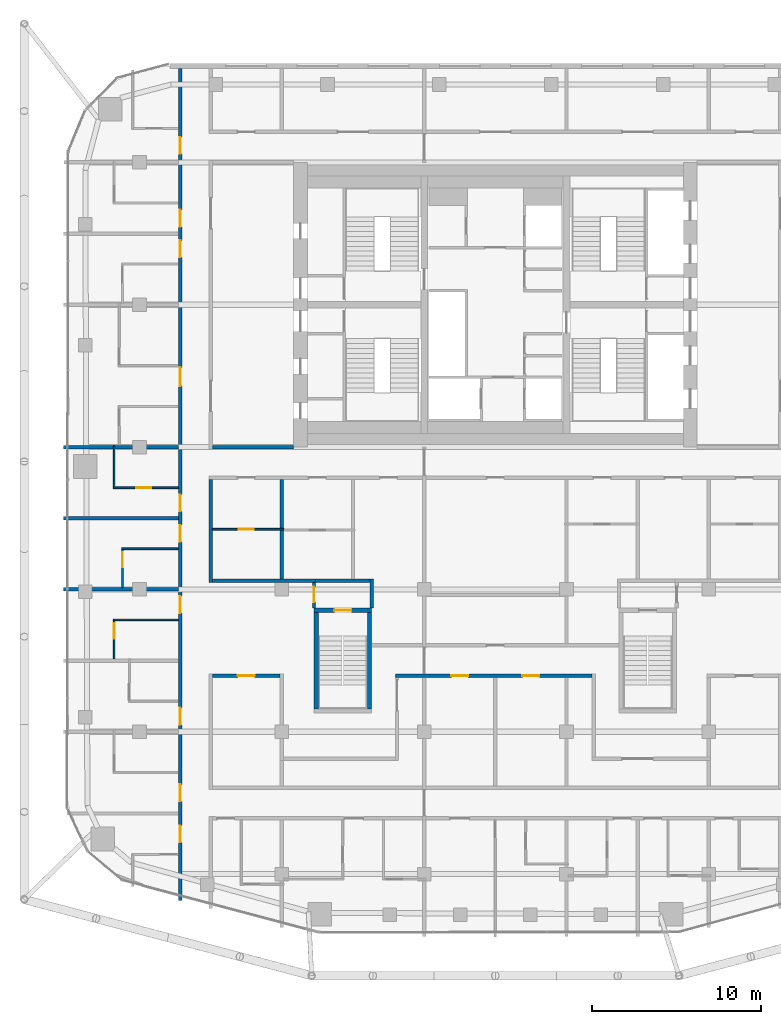
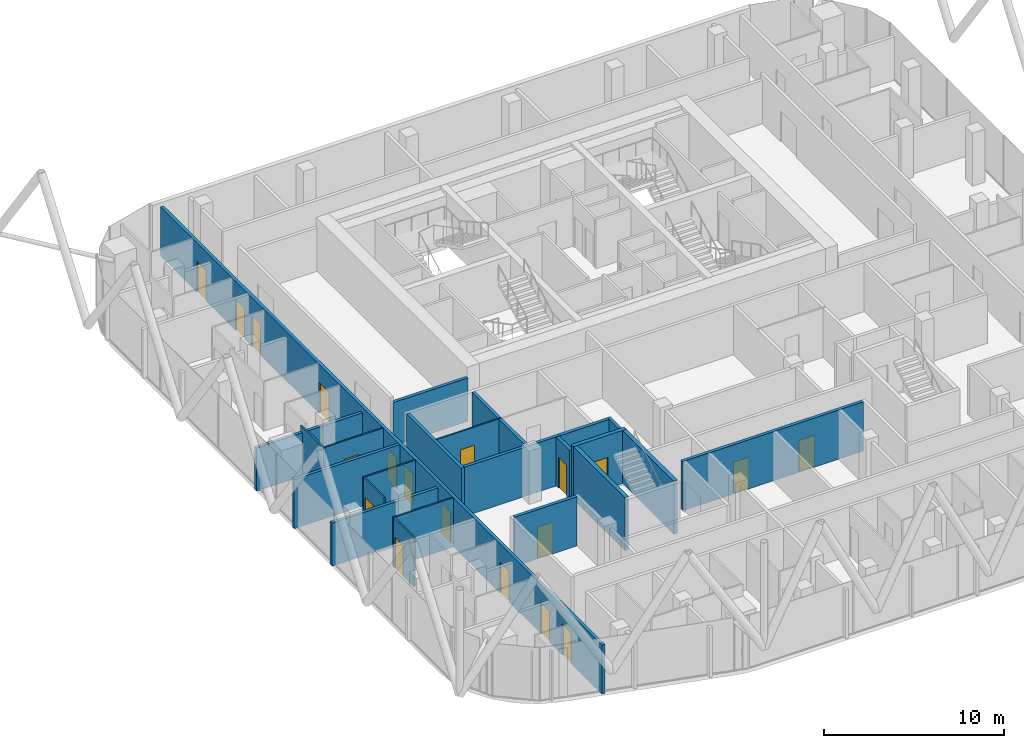
# One storey, part 21 of 28: 23 walls, 19 doors, 19 openings.
"""IFC4 building model written with IfcOpenShell, lengths in metres."""

from ifc_helpers import new_model, si_unit, direction, frame, frame_2d, origin, place, context, subcontext, project, spatial, rectangle, extrude, material, layer, layer_set, type_object, element, fill, save


model = new_model("IFC4")

# Units and contexts
model_context = context("Model", 3, precision=1e-05, world=origin(), true_north=direction((0.0, 1.0)))
body_context = subcontext(model_context, "Body", "Model", "MODEL_VIEW")
ifc_project = project(units=[si_unit("LENGTHUNIT", "METRE"), si_unit("AREAUNIT", "SQUARE_METRE"), si_unit("VOLUMEUNIT", "CUBIC_METRE"), si_unit("PLANEANGLEUNIT", "RADIAN"), si_unit("MASSUNIT", "GRAM", prefix="KILO")], contexts=[model_context])

# Site, building, storey
site_placement = place(None, origin())
site = spatial("IfcSite", under=ifc_project, at=site_placement, CompositionType="ELEMENT")
building_placement = place(site_placement, origin())
building = spatial("IfcBuilding", under=site, at=building_placement, Name="Marenta Gate Hotel Tower", CompositionType="ELEMENT")
storey_placement = place(building_placement, frame((0.0, 0.0, 227.300048828125)))
storey = spatial("IfcBuildingStorey", under=building, at=storey_placement, Name="L53", CompositionType="ELEMENT", Elevation=227.300048828125)

# Wall
ifc_material_1 = material(Name="Concrete blockwork", Category="masonry")
ifc_layer_1 = layer(ifc_material_1, 0.199951171875)
ifc_layer_set_1 = layer_set([ifc_layer_1], Name="Concrete blockwork")
wall_type_1 = type_object("IfcWallType", Name="Core boundary wall 200 REI 180", PredefinedType="PARTITIONING", material=ifc_layer_set_1)
wall_1_placement = place(storey_placement, frame((-16.699951171875, 0.0, 0.0), z_axis=(0.0, 0.0, 1.0), x_axis=(1.0, 0.0, 0.0)))
element("IfcWall", 1, at=wall_1_placement, inside=storey, type_object=wall_type_1, Name="L53-CP-EW-WS", PredefinedType="PARTITIONING", context=body_context, shape_type="SweptSolid", body=[
    extrude(rectangle(XDim=4.800048828125, YDim=0.199951171875, at=frame_2d((2.39990234375, 0.0))), origin(), (0.0, 0.0, 1.0), 2.93994140625),
])

# Wall, opening, door
ifc_material_2 = material(Name="Concrete C40", Category="concrete")
ifc_layer_2 = layer(ifc_material_2, 0.25)
ifc_layer_set_2 = layer_set([ifc_layer_2], Name="Concrete C40")
wall_type_2 = type_object("IfcWallType", Name="Remote stair enclosure wall 250 REI 180", PredefinedType="SHEAR", material=ifc_layer_set_2)
wall_2_placement = place(storey_placement, frame((-10.699951171875, -9.625, 0.099853515625), z_axis=(0.0, 0.0, 1.0), x_axis=(1.0, 0.0, 0.0)))
wall_2 = element("IfcWall", 2, at=wall_2_placement, inside=storey, type_object=wall_type_2, Name="L53-RS-Z3-1-W2", PredefinedType="SHEAR", context=body_context, shape_type="SweptSolid", body=[
    extrude(rectangle(XDim=3.39990234375, YDim=0.25, at=frame_2d((1.699951171875, 0.0))), origin(), (0.0, 0.0, 1.0), 3.60009765625),
])
opening_1_placement = place(wall_2_placement, frame((1.199951171875, 0.0, 0.0)))
opening_1 = element("IfcOpeningElement", 3, at=opening_1_placement, cuts=wall_2, Name="Opening VD", PredefinedType="OPENING", context=body_context, shape_type="SweptSolid", body=[
    extrude(rectangle(XDim=1.0, YDim=2.10009765625, at=frame_2d((0.5, 1.050048828125))), frame((0.0, 0.125, 0.0), z_axis=(0.0, -1.0, 0.0), x_axis=(1.0, 0.0, 0.0)), (0.0, 0.0, 1.0), 0.25),
])
ifc_material_3 = material(Name="Steel", Category="steel")
door_type_1 = type_object("IfcDoorType", Name="Stair vestibule door 1000x2100 FD60", OperationType="SINGLE_SWING_LEFT", PredefinedType="DOOR", material=ifc_material_3)
door_1_placement = place(opening_1_placement, origin())
door_1 = element("IfcDoor", 4, at=door_1_placement, inside=storey, type_object=door_type_1, Name="VD", OperationType="SINGLE_SWING_LEFT", OverallHeight=2.10009765625, OverallWidth=1.0, PredefinedType="DOOR", context=body_context, shape_type="SweptSolid", body=[
    extrude(rectangle(XDim=1.0, YDim=2.10009765625, at=frame_2d((0.5, 1.050048828125))), frame((0.0, 0.02490234375, 0.0), z_axis=(0.0, -1.0, 0.0), x_axis=(1.0, 0.0, 0.0)), (0.0, 0.0, 1.0), 0.050048828125),
])
fill(opening_1, door_1)

# Walls
for number, where, z_axis, x_axis, name in (
    (5, (-10.574951171875, -15.449951171875, 0.099853515625), (0.0, 0.0, 1.0), (0.0, 1.0, 0.0), "L53-RS-Z3-1-W3"),
    (6, (-7.425048828125, -15.449951171875, 0.099853515625), (0.0, 0.0, 1.0), (0.0, 1.0, 0.0), "L53-RS-Z3-1-W4"),
):
    element("IfcWall", number, at=place(storey_placement, frame(where, z_axis=z_axis, x_axis=x_axis)), inside=storey, type_object=wall_type_2, Name=name, PredefinedType="SHEAR", context=body_context, shape_type="SweptSolid", body=[
        extrude(rectangle(XDim=5.699951171875, YDim=0.25, at=frame_2d((2.85009765625, 0.0))), origin(), (0.0, 0.0, 1.0), 3.60009765625),
    ])
ifc_material_4 = material(Name="Concrete blockwork", Category="masonry")
ifc_layer_3 = layer(ifc_material_4, 0.199951171875)
ifc_layer_set_3 = layer_set([ifc_layer_3], Name="Concrete blockwork")
wall_type_3 = type_object("IfcWallType", Name="Room corridor wall 200 EI 120", PredefinedType="PARTITIONING", material=ifc_layer_set_3)
wall_3_placement = place(storey_placement, frame((-16.699951171875, -7.89990234375, 0.0), z_axis=(0.0, 0.0, 1.0), x_axis=(1.0, 0.0, 0.0)))
element("IfcWall", 7, at=wall_3_placement, inside=storey, type_object=wall_type_3, Name="L53-PTN-W053", PredefinedType="PARTITIONING", context=body_context, shape_type="SweptSolid", body=[
    extrude(rectangle(XDim=6.099853515625, YDim=0.199951171875, at=frame_2d((3.0498046875, 0.0))), origin(), (0.0, 0.0, 1.0), 3.33984375),
])

# Wall, opening, door
ifc_material_5 = material(Name="Gypsum board on steel stud", Category="steel")
ifc_layer_4 = layer(ifc_material_5, 0.199951171875)
ifc_layer_set_4 = layer_set([ifc_layer_4], Name="Gypsum board on steel stud")
wall_type_4 = type_object("IfcWallType", Name="Room corridor wall 200 EI 60", PredefinedType="PARTITIONING", material=ifc_layer_set_4)
wall_4_placement = place(storey_placement, frame((-16.699951171875, -13.5, 0.0), z_axis=(0.0, 0.0, 1.0), x_axis=(1.0, 0.0, 0.0)))
wall_4 = element("IfcWall", 8, at=wall_4_placement, inside=storey, type_object=wall_type_4, Name="L53-PTN-W033", PredefinedType="PARTITIONING", context=body_context, shape_type="SweptSolid", body=[
    extrude(rectangle(XDim=4.0, YDim=0.199951171875, at=frame_2d((2.0, 0.0))), origin(), (0.0, 0.0, 1.0), 3.33984375),
])
opening_2_placement = place(wall_4_placement, frame((1.5, 0.0, 0.0)))
opening_2 = element("IfcOpeningElement", 9, at=opening_2_placement, cuts=wall_4, Name="Opening G19-11", PredefinedType="OPENING", context=body_context, shape_type="SweptSolid", body=[
    extrude(rectangle(XDim=1.0, YDim=2.10009765625, at=frame_2d((0.5, 1.050048828125))), frame((0.0, 0.10009765625, 0.0), z_axis=(0.0, -1.0, 0.0), x_axis=(1.0, 0.0, 0.0)), (0.0, 0.0, 1.0), 0.199951171875),
])
ifc_material_6 = material(Name="Timber door leaf", Category="wood")
door_type_2 = type_object("IfcDoorType", Name="Room amenity door 1000x2100 EI 30", OperationType="NOTDEFINED", PredefinedType="DOOR", material=ifc_material_6)
door_2_placement = place(opening_2_placement, origin())
door_2 = element("IfcDoor", 10, at=door_2_placement, inside=storey, type_object=door_type_2, Name="L53-PD-D011", OperationType="SINGLE_SWING_LEFT", OverallHeight=2.10009765625, OverallWidth=1.0, PredefinedType="DOOR", context=body_context, shape_type="SweptSolid", body=[
    extrude(rectangle(XDim=1.0, YDim=2.10009765625, at=frame_2d((0.5, 1.050048828125))), frame((0.0, 0.02490234375, 0.0), z_axis=(0.0, -1.0, 0.0), x_axis=(1.0, 0.0, 0.0)), (0.0, 0.0, 1.0), 0.050048828125),
])
fill(opening_2, door_2)

# Wall, openings, doors
wall_5_placement = place(storey_placement, frame((-5.89990234375, -13.5, 0.0), z_axis=(0.0, 0.0, 1.0), x_axis=(1.0, 0.0, 0.0)))
wall_5 = element("IfcWall", 11, at=wall_5_placement, inside=storey, type_object=wall_type_4, Name="L53-PTN-W034", PredefinedType="PARTITIONING", context=body_context, shape_type="SweptSolid", body=[
    extrude(rectangle(XDim=11.599853515625, YDim=0.199951171875, at=frame_2d((5.7998046875, 0.0))), origin(), (0.0, 0.0, 1.0), 3.33984375),
])
opening_3_placement = place(wall_5_placement, frame((3.300048828125, 0.0, 0.0)))
opening_3 = element("IfcOpeningElement", 12, at=opening_3_placement, cuts=wall_5, Name="Opening G19-13", PredefinedType="OPENING", context=body_context, shape_type="SweptSolid", body=[
    extrude(rectangle(XDim=1.0, YDim=2.10009765625, at=frame_2d((0.5, 1.050048828125))), frame((0.0, 0.10009765625, 0.0), z_axis=(0.0, -1.0, 0.0), x_axis=(1.0, 0.0, 0.0)), (0.0, 0.0, 1.0), 0.199951171875),
])
opening_4_placement = place(wall_5_placement, frame((7.5, 0.0, 0.0)))
opening_4 = element("IfcOpeningElement", 13, at=opening_4_placement, cuts=wall_5, Name="Opening G19-14", PredefinedType="OPENING", context=body_context, shape_type="SweptSolid", body=[
    extrude(rectangle(XDim=1.0, YDim=2.10009765625, at=frame_2d((0.5, 1.050048828125))), frame((0.0, 0.10009765625, 0.0), z_axis=(0.0, -1.0, 0.0), x_axis=(1.0, 0.0, 0.0)), (0.0, 0.0, 1.0), 0.199951171875),
])
door_3_placement = place(opening_3_placement, origin())
door_3 = element("IfcDoor", 14, at=door_3_placement, inside=storey, type_object=door_type_2, Name="L53-PD-D013", OperationType="SINGLE_SWING_LEFT", OverallHeight=2.10009765625, OverallWidth=1.0, PredefinedType="DOOR", context=body_context, shape_type="SweptSolid", body=[
    extrude(rectangle(XDim=1.0, YDim=2.10009765625, at=frame_2d((0.5, 1.050048828125))), frame((0.0, 0.02490234375, 0.0), z_axis=(0.0, -1.0, 0.0), x_axis=(1.0, 0.0, 0.0)), (0.0, 0.0, 1.0), 0.050048828125),
])
fill(opening_3, door_3)
door_4_placement = place(opening_4_placement, origin())
door_4 = element("IfcDoor", 15, at=door_4_placement, inside=storey, type_object=door_type_2, Name="L53-PD-D014", OperationType="SINGLE_SWING_RIGHT", OverallHeight=2.10009765625, OverallWidth=1.0, PredefinedType="DOOR", context=body_context, shape_type="SweptSolid", body=[
    extrude(rectangle(XDim=1.0, YDim=2.10009765625, at=frame_2d((0.5, 1.050048828125))), frame((0.0, 0.02490234375, 0.0), z_axis=(0.0, -1.0, 0.0), x_axis=(1.0, 0.0, 0.0)), (0.0, 0.0, 1.0), 0.050048828125),
])
fill(opening_4, door_4)

# Wall
wall_6_placement = place(storey_placement, frame((-16.800048828125, -8.0, 0.0), z_axis=(0.0, 0.0, 1.0), x_axis=(0.0, 1.0, 0.0)))
element("IfcWall", 16, at=wall_6_placement, inside=storey, type_object=wall_type_4, Name="L53-PTN-W106", PredefinedType="PARTITIONING", context=body_context, shape_type="SweptSolid", body=[
    extrude(rectangle(XDim=6.10009765625, YDim=0.199951171875, at=frame_2d((3.050048828125, 0.0))), origin(), (0.0, 0.0, 1.0), 3.33984375),
])

# Wall, openings, doors
wall_7_placement = place(storey_placement, frame((-18.60009765625, -26.7509765625, 0.0), z_axis=(0.0, 0.0, 1.0), x_axis=(0.0, 1.0, 0.0)))
wall_7 = element("IfcWall", 17, at=wall_7_placement, inside=storey, type_object=wall_type_4, Name="L53-PTN-W110", PredefinedType="PARTITIONING", context=body_context, shape_type="SweptSolid", body=[
    extrude(rectangle(XDim=49.091064453125, YDim=0.199951171875, at=frame_2d((24.54541015625, 0.0))), origin(), (0.0, 0.0, 1.0), 3.33984375),
])
opening_5_placement = place(wall_7_placement, frame((3.4130859375, 0.0, 0.0)))
opening_5 = element("IfcOpeningElement", 18, at=opening_5_placement, cuts=wall_7, Name="Opening G19-50", PredefinedType="OPENING", context=body_context, shape_type="SweptSolid", body=[
    extrude(rectangle(XDim=1.0, YDim=2.10009765625, at=frame_2d((0.5, 1.050048828125))), frame((0.0, 0.10009765625, 0.0), z_axis=(0.0, -1.0, 0.0), x_axis=(1.0, 0.0, 0.0)), (0.0, 0.0, 1.0), 0.199951171875),
])
opening_6_placement = place(wall_7_placement, frame((5.837890625, 0.0, 0.0)))
opening_6 = element("IfcOpeningElement", 19, at=opening_6_placement, cuts=wall_7, Name="Opening G19-52", PredefinedType="OPENING", context=body_context, shape_type="SweptSolid", body=[
    extrude(rectangle(XDim=1.0, YDim=2.10009765625, at=frame_2d((0.5, 1.050048828125))), frame((0.0, 0.10009765625, 0.0), z_axis=(0.0, -1.0, 0.0), x_axis=(1.0, 0.0, 0.0)), (0.0, 0.0, 1.0), 0.199951171875),
])
opening_7_placement = place(wall_7_placement, frame((10.35107421875, 0.0, 0.0)))
opening_7 = element("IfcOpeningElement", 20, at=opening_7_placement, cuts=wall_7, Name="Opening G19-54", PredefinedType="OPENING", context=body_context, shape_type="SweptSolid", body=[
    extrude(rectangle(XDim=1.0, YDim=2.10009765625, at=frame_2d((0.5, 1.050048828125))), frame((0.0, 0.10009765625, 0.0), z_axis=(0.0, -1.0, 0.0), x_axis=(1.0, 0.0, 0.0)), (0.0, 0.0, 1.0), 0.199951171875),
])
opening_8_placement = place(wall_7_placement, frame((16.950927734375, 0.0, 0.0)))
opening_8 = element("IfcOpeningElement", 21, at=opening_8_placement, cuts=wall_7, Name="Opening G19-56", PredefinedType="OPENING", context=body_context, shape_type="SweptSolid", body=[
    extrude(rectangle(XDim=1.0, YDim=2.10009765625, at=frame_2d((0.5, 1.050048828125))), frame((0.0, 0.10009765625, 0.0), z_axis=(0.0, -1.0, 0.0), x_axis=(1.0, 0.0, 0.0)), (0.0, 0.0, 1.0), 0.199951171875),
])
opening_9_placement = place(wall_7_placement, frame((21.15087890625, 0.0, 0.0)))
opening_9 = element("IfcOpeningElement", 22, at=opening_9_placement, cuts=wall_7, Name="Opening G19-58", PredefinedType="OPENING", context=body_context, shape_type="SweptSolid", body=[
    extrude(rectangle(XDim=1.0, YDim=2.10009765625, at=frame_2d((0.5, 1.050048828125))), frame((0.0, 0.10009765625, 0.0), z_axis=(0.0, -1.0, 0.0), x_axis=(1.0, 0.0, 0.0)), (0.0, 0.0, 1.0), 0.199951171875),
])
opening_10_placement = place(wall_7_placement, frame((22.950927734375, 0.0, 0.0)))
opening_10 = element("IfcOpeningElement", 23, at=opening_10_placement, cuts=wall_7, Name="Opening G19-60", PredefinedType="OPENING", context=body_context, shape_type="SweptSolid", body=[
    extrude(rectangle(XDim=1.0, YDim=2.10009765625, at=frame_2d((0.5, 1.050048828125))), frame((0.0, 0.10009765625, 0.0), z_axis=(0.0, -1.0, 0.0), x_axis=(1.0, 0.0, 0.0)), (0.0, 0.0, 1.0), 0.199951171875),
])
opening_11_placement = place(wall_7_placement, frame((30.35107421875, 0.0, 0.0)))
opening_11 = element("IfcOpeningElement", 24, at=opening_11_placement, cuts=wall_7, Name="Opening G19-62", PredefinedType="OPENING", context=body_context, shape_type="SweptSolid", body=[
    extrude(rectangle(XDim=1.10009765625, YDim=2.10009765625, at=frame_2d((0.550048828125, 1.050048828125))), frame((0.0, 0.10009765625, 0.0), z_axis=(0.0, -1.0, 0.0), x_axis=(1.0, 0.0, 0.0)), (0.0, 0.0, 1.0), 0.199951171875),
])
opening_12_placement = place(wall_7_placement, frame((37.950927734375, 0.0, 0.0)))
opening_12 = element("IfcOpeningElement", 25, at=opening_12_placement, cuts=wall_7, Name="Opening G19-65", PredefinedType="OPENING", context=body_context, shape_type="SweptSolid", body=[
    extrude(rectangle(XDim=1.0, YDim=2.10009765625, at=frame_2d((0.5, 1.050048828125))), frame((0.0, 0.10009765625, 0.0), z_axis=(0.0, -1.0, 0.0), x_axis=(1.0, 0.0, 0.0)), (0.0, 0.0, 1.0), 0.199951171875),
])
opening_13_placement = place(wall_7_placement, frame((39.7509765625, 0.0, 0.0)))
opening_13 = element("IfcOpeningElement", 26, at=opening_13_placement, cuts=wall_7, Name="Opening G19-67", PredefinedType="OPENING", context=body_context, shape_type="SweptSolid", body=[
    extrude(rectangle(XDim=1.0, YDim=2.10009765625, at=frame_2d((0.5, 1.050048828125))), frame((0.0, 0.10009765625, 0.0), z_axis=(0.0, -1.0, 0.0), x_axis=(1.0, 0.0, 0.0)), (0.0, 0.0, 1.0), 0.199951171875),
])
opening_14_placement = place(wall_7_placement, frame((44.051025390625, 0.0, 0.0)))
opening_14 = element("IfcOpeningElement", 27, at=opening_14_placement, cuts=wall_7, Name="Opening G19-69", PredefinedType="OPENING", context=body_context, shape_type="SweptSolid", body=[
    extrude(rectangle(XDim=1.0, YDim=2.10009765625, at=frame_2d((0.5, 1.050048828125))), frame((0.0, 0.10009765625, 0.0), z_axis=(0.0, -1.0, 0.0), x_axis=(1.0, 0.0, 0.0)), (0.0, 0.0, 1.0), 0.199951171875),
])
ifc_material_7 = material(Name="Timber door leaf", Category="wood")
door_type_3 = type_object("IfcDoorType", Name="Guest room door 1000x2100 EI 30", OperationType="NOTDEFINED", PredefinedType="DOOR", material=ifc_material_7)
door_5_placement = place(opening_5_placement, origin())
door_5 = element("IfcDoor", 28, at=door_5_placement, inside=storey, type_object=door_type_3, Name="L53-PD-D050", OperationType="SINGLE_SWING_LEFT", OverallHeight=2.10009765625, OverallWidth=1.0, PredefinedType="DOOR", context=body_context, shape_type="SweptSolid", body=[
    extrude(rectangle(XDim=1.0, YDim=2.10009765625, at=frame_2d((0.5, 1.050048828125))), frame((0.0, 0.02490234375, 0.0), z_axis=(0.0, -1.0, 0.0), x_axis=(1.0, 0.0, 0.0)), (0.0, 0.0, 1.0), 0.050048828125),
])
fill(opening_5, door_5)
door_6_placement = place(opening_6_placement, origin())
door_6 = element("IfcDoor", 29, at=door_6_placement, inside=storey, type_object=door_type_3, Name="L53-PD-D052", OperationType="SINGLE_SWING_LEFT", OverallHeight=2.10009765625, OverallWidth=1.0, PredefinedType="DOOR", context=body_context, shape_type="SweptSolid", body=[
    extrude(rectangle(XDim=1.0, YDim=2.10009765625, at=frame_2d((0.5, 1.050048828125))), frame((0.0, 0.02490234375, 0.0), z_axis=(0.0, -1.0, 0.0), x_axis=(1.0, 0.0, 0.0)), (0.0, 0.0, 1.0), 0.050048828125),
])
fill(opening_6, door_6)
door_7_placement = place(opening_7_placement, origin())
door_7 = element("IfcDoor", 30, at=door_7_placement, inside=storey, type_object=door_type_3, Name="L53-PD-D054", OperationType="SINGLE_SWING_LEFT", OverallHeight=2.10009765625, OverallWidth=1.0, PredefinedType="DOOR", context=body_context, shape_type="SweptSolid", body=[
    extrude(rectangle(XDim=1.0, YDim=2.10009765625, at=frame_2d((0.5, 1.050048828125))), frame((0.0, 0.02490234375, 0.0), z_axis=(0.0, -1.0, 0.0), x_axis=(1.0, 0.0, 0.0)), (0.0, 0.0, 1.0), 0.050048828125),
])
fill(opening_7, door_7)
door_8_placement = place(opening_8_placement, origin())
door_8 = element("IfcDoor", 31, at=door_8_placement, inside=storey, type_object=door_type_3, Name="L53-PD-D056", OperationType="SINGLE_SWING_LEFT", OverallHeight=2.10009765625, OverallWidth=1.0, PredefinedType="DOOR", context=body_context, shape_type="SweptSolid", body=[
    extrude(rectangle(XDim=1.0, YDim=2.10009765625, at=frame_2d((0.5, 1.050048828125))), frame((0.0, 0.02490234375, 0.0), z_axis=(0.0, -1.0, 0.0), x_axis=(1.0, 0.0, 0.0)), (0.0, 0.0, 1.0), 0.050048828125),
])
fill(opening_8, door_8)
door_9_placement = place(opening_9_placement, origin())
door_9 = element("IfcDoor", 32, at=door_9_placement, inside=storey, type_object=door_type_3, Name="L53-PD-D058", OperationType="SINGLE_SWING_LEFT", OverallHeight=2.10009765625, OverallWidth=1.0, PredefinedType="DOOR", context=body_context, shape_type="SweptSolid", body=[
    extrude(rectangle(XDim=1.0, YDim=2.10009765625, at=frame_2d((0.5, 1.050048828125))), frame((0.0, 0.02490234375, 0.0), z_axis=(0.0, -1.0, 0.0), x_axis=(1.0, 0.0, 0.0)), (0.0, 0.0, 1.0), 0.050048828125),
])
fill(opening_9, door_9)
door_10_placement = place(opening_10_placement, origin())
door_10 = element("IfcDoor", 33, at=door_10_placement, inside=storey, type_object=door_type_3, Name="L53-PD-D060", OperationType="SINGLE_SWING_LEFT", OverallHeight=2.10009765625, OverallWidth=1.0, PredefinedType="DOOR", context=body_context, shape_type="SweptSolid", body=[
    extrude(rectangle(XDim=1.0, YDim=2.10009765625, at=frame_2d((0.5, 1.050048828125))), frame((0.0, 0.02490234375, 0.0), z_axis=(0.0, -1.0, 0.0), x_axis=(1.0, 0.0, 0.0)), (0.0, 0.0, 1.0), 0.050048828125),
])
fill(opening_10, door_10)
door_11_placement = place(opening_12_placement, origin())
door_11 = element("IfcDoor", 34, at=door_11_placement, inside=storey, type_object=door_type_3, Name="L53-PD-D065", OperationType="SINGLE_SWING_RIGHT", OverallHeight=2.10009765625, OverallWidth=1.0, PredefinedType="DOOR", context=body_context, shape_type="SweptSolid", body=[
    extrude(rectangle(XDim=1.0, YDim=2.10009765625, at=frame_2d((0.5, 1.050048828125))), frame((0.0, 0.02490234375, 0.0), z_axis=(0.0, -1.0, 0.0), x_axis=(1.0, 0.0, 0.0)), (0.0, 0.0, 1.0), 0.050048828125),
])
fill(opening_12, door_11)
door_12_placement = place(opening_13_placement, origin())
door_12 = element("IfcDoor", 35, at=door_12_placement, inside=storey, type_object=door_type_3, Name="L53-PD-D067", OperationType="SINGLE_SWING_RIGHT", OverallHeight=2.10009765625, OverallWidth=1.0, PredefinedType="DOOR", context=body_context, shape_type="SweptSolid", body=[
    extrude(rectangle(XDim=1.0, YDim=2.10009765625, at=frame_2d((0.5, 1.050048828125))), frame((0.0, 0.02490234375, 0.0), z_axis=(0.0, -1.0, 0.0), x_axis=(1.0, 0.0, 0.0)), (0.0, 0.0, 1.0), 0.050048828125),
])
fill(opening_13, door_12)
door_13_placement = place(opening_14_placement, origin())
door_13 = element("IfcDoor", 36, at=door_13_placement, inside=storey, type_object=door_type_3, Name="L53-PD-D069", OperationType="SINGLE_SWING_RIGHT", OverallHeight=2.10009765625, OverallWidth=1.0, PredefinedType="DOOR", context=body_context, shape_type="SweptSolid", body=[
    extrude(rectangle(XDim=1.0, YDim=2.10009765625, at=frame_2d((0.5, 1.050048828125))), frame((0.0, 0.02490234375, 0.0), z_axis=(0.0, -1.0, 0.0), x_axis=(1.0, 0.0, 0.0)), (0.0, 0.0, 1.0), 0.050048828125),
])
fill(opening_14, door_13)
ifc_material_8 = material(Name="Timber door leaf", Category="wood")
door_type_4 = type_object("IfcDoorType", Name="Guest room door 1100x2100 EI 30", OperationType="NOTDEFINED", PredefinedType="DOOR", material=ifc_material_8)
door_14_placement = place(opening_11_placement, origin())
door_14 = element("IfcDoor", 37, at=door_14_placement, inside=storey, type_object=door_type_4, Name="L53-PD-D062", OperationType="SINGLE_SWING_RIGHT", OverallHeight=2.10009765625, OverallWidth=1.10009765625, PredefinedType="DOOR", context=body_context, shape_type="SweptSolid", body=[
    extrude(rectangle(XDim=1.10009765625, YDim=2.10009765625, at=frame_2d((0.550048828125, 1.050048828125))), frame((0.0, 0.02490234375, 0.0), z_axis=(0.0, -1.0, 0.0), x_axis=(1.0, 0.0, 0.0)), (0.0, 0.0, 1.0), 0.050048828125),
])
fill(opening_11, door_14)

# Wall, opening, door
ifc_material_9 = material(Name="Concrete blockwork", Category="masonry")
ifc_layer_5 = layer(ifc_material_9, 0.199951171875)
ifc_layer_set_5 = layer_set([ifc_layer_5], Name="Concrete blockwork")
wall_type_5 = type_object("IfcWallType", Name="Room corridor wall 200 REI 180", PredefinedType="PARTITIONING", material=ifc_layer_set_5)
wall_8_placement = place(storey_placement, frame((-10.699951171875, -9.5, 0.0), z_axis=(0.0, 0.0, 1.0), x_axis=(0.0, 1.0, 0.0)))
wall_8 = element("IfcWall", 38, at=wall_8_placement, inside=storey, type_object=wall_type_5, Name="L53-PTN-W092", PredefinedType="PARTITIONING", context=body_context, shape_type="SweptSolid", body=[
    extrude(rectangle(XDim=1.5, YDim=0.199951171875, at=frame_2d((0.75, 0.0))), origin(), (0.0, 0.0, 1.0), 3.33984375),
])
opening_15_placement = place(wall_8_placement, frame((0.35009765625, 0.0, 0.0)))
opening_15 = element("IfcOpeningElement", 39, at=opening_15_placement, cuts=wall_8, Name="Opening G19-71", PredefinedType="OPENING", context=body_context, shape_type="SweptSolid", body=[
    extrude(rectangle(XDim=0.89990234375, YDim=2.10009765625, at=frame_2d((0.449951171875, 1.050048828125))), frame((0.0, 0.10009765625, 0.0), z_axis=(0.0, -1.0, 0.0), x_axis=(1.0, 0.0, 0.0)), (0.0, 0.0, 1.0), 0.199951171875),
])
ifc_material_10 = material(Name="Hollow steel door set", Category="steel")
door_type_5 = type_object("IfcDoorType", Name="Stair vestibule door 900x2100 EI 60", OperationType="NOTDEFINED", PredefinedType="DOOR", material=ifc_material_10)
door_15_placement = place(opening_15_placement, origin())
door_15 = element("IfcDoor", 40, at=door_15_placement, inside=storey, type_object=door_type_5, Name="L53-PD-D071", OperationType="SINGLE_SWING_LEFT", OverallHeight=2.10009765625, OverallWidth=0.89990234375, PredefinedType="DOOR", context=body_context, shape_type="SweptSolid", body=[
    extrude(rectangle(XDim=0.89990234375, YDim=2.10009765625, at=frame_2d((0.449951171875, 1.050048828125))), frame((0.0, 0.02490234375, 0.0), z_axis=(0.0, -1.0, 0.0), x_axis=(1.0, 0.0, 0.0)), (0.0, 0.0, 1.0), 0.050048828125),
])
fill(opening_15, door_15)

# Walls
ifc_material_11 = material(Name="Gypsum board on steel stud", Category="steel")
ifc_layer_6 = layer(ifc_material_11, 0.10009765625)
ifc_layer_set_6 = layer_set([ifc_layer_6], Name="Gypsum board on steel stud")
wall_type_6 = type_object("IfcWallType", Name="Room partition 100", PredefinedType="PARTITIONING", material=ifc_layer_set_6)
wall_9_placement = place(storey_placement, frame((-22.550048828125, -10.199951171875, 0.0), z_axis=(0.0, 0.0, 1.0), x_axis=(1.0, 0.0, 0.0)))
element("IfcWall", 41, at=wall_9_placement, inside=storey, type_object=wall_type_6, Name="L53-PTN-W046", PredefinedType="PARTITIONING", context=body_context, shape_type="SweptSolid", body=[
    extrude(rectangle(XDim=3.85009765625, YDim=0.10009765625, at=frame_2d((1.925048828125, 0.0))), origin(), (0.0, 0.0, 1.0), 3.33984375),
])
wall_10_placement = place(storey_placement, frame((-22.050048828125, -6.0, 0.0), z_axis=(0.0, 0.0, 1.0), x_axis=(1.0, 0.0, 0.0)))
element("IfcWall", 42, at=wall_10_placement, inside=storey, type_object=wall_type_6, Name="L53-PTN-W059", PredefinedType="PARTITIONING", context=body_context, shape_type="SweptSolid", body=[
    extrude(rectangle(XDim=3.35009765625, YDim=0.10009765625, at=frame_2d((1.675048828125, 0.0))), origin(), (0.0, 0.0, 1.0), 3.33984375),
])

# Wall, opening, door
wall_11_placement = place(storey_placement, frame((-16.699951171875, -4.85009765625, 0.0), z_axis=(0.0, 0.0, 1.0), x_axis=(1.0, 0.0, 0.0)))
wall_11 = element("IfcWall", 43, at=wall_11_placement, inside=storey, type_object=wall_type_6, Name="L53-PTN-W062", PredefinedType="PARTITIONING", context=body_context, shape_type="SweptSolid", body=[
    extrude(rectangle(XDim=4.199951171875, YDim=0.10009765625, at=frame_2d((2.10009765625, 0.0))), origin(), (0.0, 0.0, 1.0), 3.33984375),
])
opening_16_placement = place(wall_11_placement, frame((1.550048828125, 0.0, 0.0)))
opening_16 = element("IfcOpeningElement", 44, at=opening_16_placement, cuts=wall_11, Name="Opening G19-02", PredefinedType="OPENING", context=body_context, shape_type="SweptSolid", body=[
    extrude(rectangle(XDim=0.89990234375, YDim=2.10009765625, at=frame_2d((0.449951171875, 1.050048828125))), frame((0.0, 0.050048828125, 0.0), z_axis=(0.0, -1.0, 0.0), x_axis=(1.0, 0.0, 0.0)), (0.0, 0.0, 1.0), 0.10009765625),
])
ifc_material_12 = material(Name="Timber door leaf", Category="wood")
door_type_6 = type_object("IfcDoorType", Name="Room inner door 900x2100", OperationType="NOTDEFINED", PredefinedType="DOOR", material=ifc_material_12)
door_16_placement = place(opening_16_placement, origin())
door_16 = element("IfcDoor", 45, at=door_16_placement, inside=storey, type_object=door_type_6, Name="L53-PD-D002", OperationType="SINGLE_SWING_RIGHT", OverallHeight=2.10009765625, OverallWidth=0.89990234375, PredefinedType="DOOR", context=body_context, shape_type="SweptSolid", body=[
    extrude(rectangle(XDim=0.89990234375, YDim=2.10009765625, at=frame_2d((0.449951171875, 1.050048828125))), frame((0.0, 0.02490234375, 0.0), z_axis=(0.0, -1.0, 0.0), x_axis=(1.0, 0.0, 0.0)), (0.0, 0.0, 1.0), 0.050048828125),
])
fill(opening_16, door_16)

wall_12_placement = place(storey_placement, frame((-22.449951171875, -2.39990234375, 0.0), z_axis=(0.0, 0.0, 1.0), x_axis=(1.0, 0.0, 0.0)))
wall_12 = element("IfcWall", 46, at=wall_12_placement, inside=storey, type_object=wall_type_6, Name="L53-PTN-W071", PredefinedType="PARTITIONING", context=body_context, shape_type="SweptSolid", body=[
    extrude(rectangle(XDim=3.75, YDim=0.10009765625, at=frame_2d((1.875, 0.0))), origin(), (0.0, 0.0, 1.0), 3.33984375),
])
opening_17_placement = place(wall_12_placement, frame((1.2548828125, 0.0, 0.0)))
opening_17 = element("IfcOpeningElement", 47, at=opening_17_placement, cuts=wall_12, Name="Opening G19-61", PredefinedType="OPENING", context=body_context, shape_type="SweptSolid", body=[
    extrude(rectangle(XDim=0.89990234375, YDim=2.10009765625, at=frame_2d((0.449951171875, 1.050048828125))), frame((0.0, 0.050048828125, 0.0), z_axis=(0.0, -1.0, 0.0), x_axis=(1.0, 0.0, 0.0)), (0.0, 0.0, 1.0), 0.10009765625),
])
ifc_material_13 = material(Name="Timber door leaf", Category="wood")
door_type_7 = type_object("IfcDoorType", Name="Guest bathroom door 900x2100", OperationType="NOTDEFINED", PredefinedType="DOOR", material=ifc_material_13)
door_17_placement = place(opening_17_placement, origin())
door_17 = element("IfcDoor", 48, at=door_17_placement, inside=storey, type_object=door_type_7, Name="L53-PD-D061", OperationType="SINGLE_SWING_LEFT", OverallHeight=2.10009765625, OverallWidth=0.89990234375, PredefinedType="DOOR", context=body_context, shape_type="SweptSolid", body=[
    extrude(rectangle(XDim=0.89990234375, YDim=2.10009765625, at=frame_2d((0.449951171875, 1.050048828125))), frame((0.0, 0.02490234375, 0.0), z_axis=(0.0, -1.0, 0.0), x_axis=(1.0, 0.0, 0.0)), (0.0, 0.0, 1.0), 0.050048828125),
])
fill(opening_17, door_17)

wall_13_placement = place(storey_placement, frame((-22.0, -8.300048828125, 0.0), z_axis=(0.0, 0.0, 1.0), x_axis=(0.0, 1.0, 0.0)))
wall_13 = element("IfcWall", 49, at=wall_13_placement, inside=storey, type_object=wall_type_6, Name="L53-PTN-W117", PredefinedType="PARTITIONING", context=body_context, shape_type="SweptSolid", body=[
    extrude(rectangle(XDim=2.25, YDim=0.10009765625, at=frame_2d((1.125, 0.0))), origin(), (0.0, 0.0, 1.0), 3.33984375),
])
opening_18_placement = place(wall_13_placement, frame((1.199951171875, 0.0, 0.0)))
opening_18 = element("IfcOpeningElement", 50, at=opening_18_placement, cuts=wall_13, Name="Opening G19-59", PredefinedType="OPENING", context=body_context, shape_type="SweptSolid", body=[
    extrude(rectangle(XDim=0.89990234375, YDim=2.10009765625, at=frame_2d((0.449951171875, 1.050048828125))), frame((0.0, 0.050048828125, 0.0), z_axis=(0.0, -1.0, 0.0), x_axis=(1.0, 0.0, 0.0)), (0.0, 0.0, 1.0), 0.10009765625),
])
door_18_placement = place(opening_18_placement, origin())
door_18 = element("IfcDoor", 51, at=door_18_placement, inside=storey, type_object=door_type_7, Name="L53-PD-D059", OperationType="SINGLE_SWING_LEFT", OverallHeight=2.10009765625, OverallWidth=0.89990234375, PredefinedType="DOOR", context=body_context, shape_type="SweptSolid", body=[
    extrude(rectangle(XDim=0.89990234375, YDim=2.10009765625, at=frame_2d((0.449951171875, 1.050048828125))), frame((0.0, 0.02490234375, 0.0), z_axis=(0.0, -1.0, 0.0), x_axis=(1.0, 0.0, 0.0)), (0.0, 0.0, 1.0), 0.050048828125),
])
fill(opening_18, door_18)

wall_14_placement = place(storey_placement, frame((-22.5, -12.5, 0.0), z_axis=(0.0, 0.0, 1.0), x_axis=(0.0, 1.0, 0.0)))
wall_14 = element("IfcWall", 52, at=wall_14_placement, inside=storey, type_object=wall_type_6, Name="L53-PTN-W122", PredefinedType="PARTITIONING", context=body_context, shape_type="SweptSolid", body=[
    extrude(rectangle(XDim=2.25, YDim=0.10009765625, at=frame_2d((1.125, 0.0))), origin(), (0.0, 0.0, 1.0), 3.33984375),
])
opening_19_placement = place(wall_14_placement, frame((1.199951171875, 0.0, 0.0)))
opening_19 = element("IfcOpeningElement", 53, at=opening_19_placement, cuts=wall_14, Name="Opening G19-57", PredefinedType="OPENING", context=body_context, shape_type="SweptSolid", body=[
    extrude(rectangle(XDim=0.89990234375, YDim=2.10009765625, at=frame_2d((0.449951171875, 1.050048828125))), frame((0.0, 0.050048828125, 0.0), z_axis=(0.0, -1.0, 0.0), x_axis=(1.0, 0.0, 0.0)), (0.0, 0.0, 1.0), 0.10009765625),
])
door_19_placement = place(opening_19_placement, origin())
door_19 = element("IfcDoor", 54, at=door_19_placement, inside=storey, type_object=door_type_7, Name="L53-PD-D057", OperationType="SINGLE_SWING_LEFT", OverallHeight=2.10009765625, OverallWidth=0.89990234375, PredefinedType="DOOR", context=body_context, shape_type="SweptSolid", body=[
    extrude(rectangle(XDim=0.89990234375, YDim=2.10009765625, at=frame_2d((0.449951171875, 1.050048828125))), frame((0.0, 0.02490234375, 0.0), z_axis=(0.0, -1.0, 0.0), x_axis=(1.0, 0.0, 0.0)), (0.0, 0.0, 1.0), 0.050048828125),
])
fill(opening_19, door_19)

# Walls
wall_15_placement = place(storey_placement, frame((-22.5, -2.449951171875, 0.0), z_axis=(0.0, 0.0, 1.0), x_axis=(0.0, 1.0, 0.0)))
element("IfcWall", 55, at=wall_15_placement, inside=storey, type_object=wall_type_6, Name="L53-PTN-W123", PredefinedType="PARTITIONING", context=body_context, shape_type="SweptSolid", body=[
    extrude(rectangle(XDim=2.550048828125, YDim=0.10009765625, at=frame_2d((1.27490234375, 0.0))), origin(), (0.0, 0.0, 1.0), 3.33984375),
])
ifc_material_14 = material(Name="Concrete blockwork", Category="masonry")
ifc_layer_7 = layer(ifc_material_14, 0.199951171875)
ifc_layer_set_7 = layer_set([ifc_layer_7], Name="Concrete blockwork")
wall_type_7 = type_object("IfcWallType", Name="Room party wall 200 EI 120", PredefinedType="PARTITIONING", material=ifc_layer_set_7)
wall_16_placement = place(storey_placement, frame((-12.60009765625, -7.800048828125, 0.0), z_axis=(0.0, 0.0, 1.0), x_axis=(0.0, 1.0, 0.0)))
element("IfcWall", 56, at=wall_16_placement, inside=storey, type_object=wall_type_7, Name="L53-PTN-W097", PredefinedType="PARTITIONING", context=body_context, shape_type="SweptSolid", body=[
    extrude(rectangle(XDim=5.900146484375, YDim=0.199951171875, at=frame_2d((2.9501953125, 0.0))), origin(), (0.0, 0.0, 1.0), 3.33984375),
])
ifc_material_15 = material(Name="Gypsum board on steel stud", Category="steel")
ifc_layer_8 = layer(ifc_material_15, 0.199951171875)
ifc_layer_set_8 = layer_set([ifc_layer_8], Name="Gypsum board on steel stud")
wall_type_8 = type_object("IfcWallType", Name="Room party wall 200 EI 60", PredefinedType="PARTITIONING", material=ifc_layer_set_8)
wall_17_placement = place(storey_placement, frame((-25.5, -8.39990234375, 0.0), z_axis=(0.0, 0.0, 1.0), x_axis=(1.0, 0.0, 0.0)))
element("IfcWall", 57, at=wall_17_placement, inside=storey, type_object=wall_type_8, Name="L53-PTN-W051", PredefinedType="PARTITIONING", context=body_context, shape_type="SweptSolid", body=[
    extrude(rectangle(XDim=6.800048828125, YDim=0.199951171875, at=frame_2d((3.39990234375, 0.0))), origin(), (0.0, 0.0, 1.0), 2.93994140625),
])
wall_18_placement = place(storey_placement, frame((-25.5, -4.199951171875, 0.0), z_axis=(0.0, 0.0, 1.0), x_axis=(1.0, 0.0, 0.0)))
element("IfcWall", 58, at=wall_18_placement, inside=storey, type_object=wall_type_8, Name="L53-PTN-W070", PredefinedType="PARTITIONING", context=body_context, shape_type="SweptSolid", body=[
    extrude(rectangle(XDim=6.800048828125, YDim=0.199951171875, at=frame_2d((3.39990234375, 0.0))), origin(), (0.0, 0.0, 1.0), 3.33984375),
])
wall_19_placement = place(storey_placement, frame((-25.5, 0.0, 0.0), z_axis=(0.0, 0.0, 1.0), x_axis=(1.0, 0.0, 0.0)))
element("IfcWall", 59, at=wall_19_placement, inside=storey, type_object=wall_type_8, Name="L53-PTN-W077", PredefinedType="PARTITIONING", context=body_context, shape_type="SweptSolid", body=[
    extrude(rectangle(XDim=6.800048828125, YDim=0.199951171875, at=frame_2d((3.39990234375, 0.0))), origin(), (0.0, 0.0, 1.0), 2.93994140625),
])
ifc_material_16 = material(Name="Concrete blockwork", Category="masonry")
ifc_layer_9 = layer(ifc_material_16, 0.199951171875)
ifc_layer_set_9 = layer_set([ifc_layer_9], Name="Concrete blockwork")
wall_type_9 = type_object("IfcWallType", Name="Room party wall 200 REI 180", PredefinedType="PARTITIONING", material=ifc_layer_set_9)
wall_20_placement = place(storey_placement, frame((-10.60009765625, -7.89990234375, 0.0), z_axis=(0.0, 0.0, 1.0), x_axis=(1.0, 0.0, 0.0)))
element("IfcWall", 60, at=wall_20_placement, inside=storey, type_object=wall_type_9, Name="L53-PTN-W055", PredefinedType="PARTITIONING", context=body_context, shape_type="SweptSolid", body=[
    extrude(rectangle(XDim=3.2001953125, YDim=0.199951171875, at=frame_2d((1.60009765625, 0.0))), origin(), (0.0, 0.0, 1.0), 3.33984375),
])
wall_21_placement = place(storey_placement, frame((-7.300048828125, -9.5, 0.0), z_axis=(0.0, 0.0, 1.0), x_axis=(0.0, 1.0, 0.0)))
element("IfcWall", 61, at=wall_21_placement, inside=storey, type_object=wall_type_9, Name="L53-PTN-W087", PredefinedType="PARTITIONING", context=body_context, shape_type="SweptSolid", body=[
    extrude(rectangle(XDim=1.699951171875, YDim=0.199951171875, at=frame_2d((0.85009765625, 0.0))), origin(), (0.0, 0.0, 1.0), 3.33984375),
])

save(model, "model.ifc")
